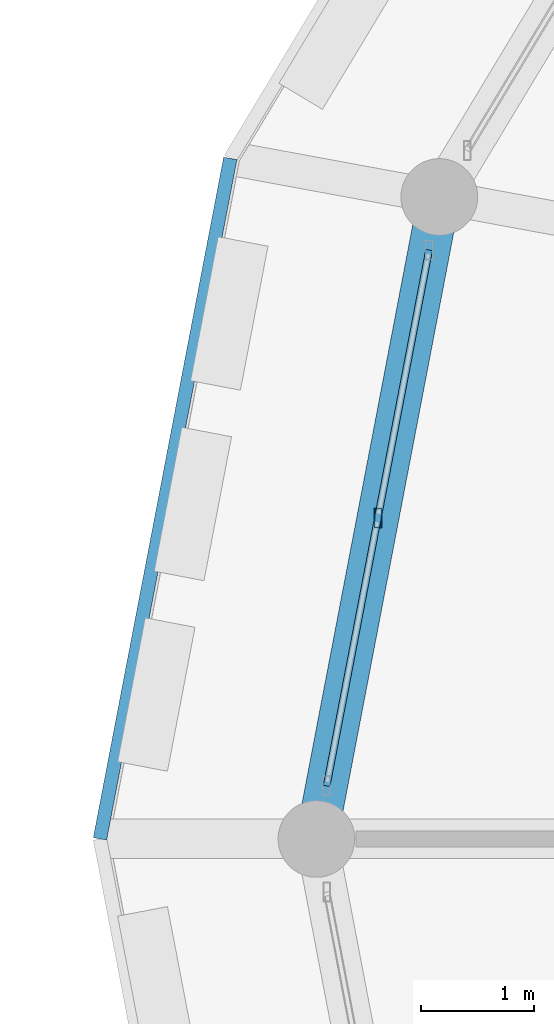
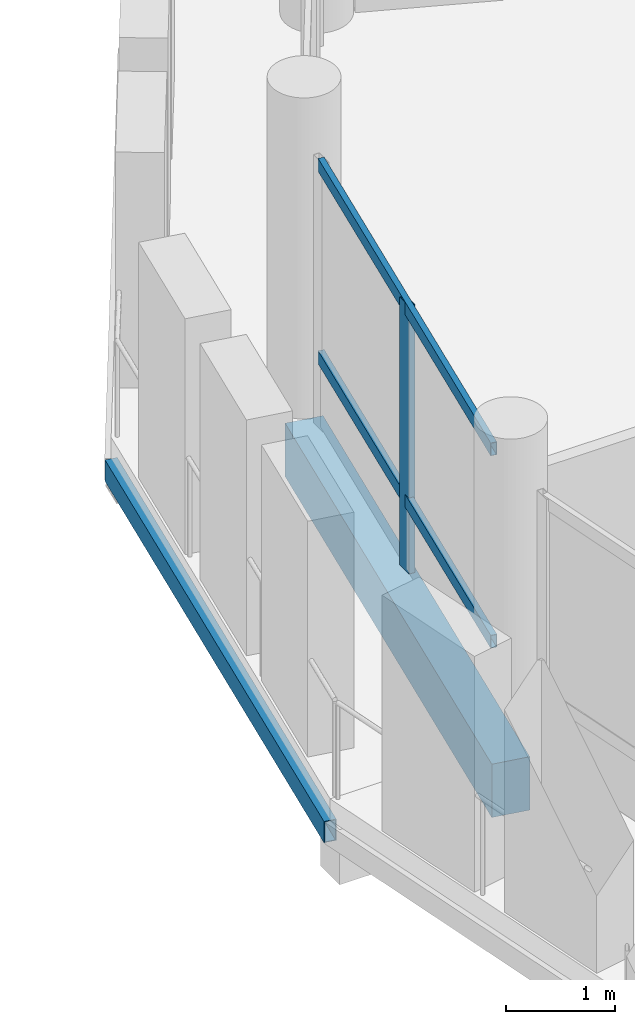
# One storey, part 34 of 128: 3 members, 2 beams, 1 element without a shape of its own.
"""IFC4 building model written with IfcOpenShell, lengths in metres."""

from ifc_helpers import new_model, si_unit, direction, frame, origin, origin_2d, place, context, subcontext, project, spatial, rectangle, hollow_rectangle, extrude, material, material_profile, profile_set, type_object, element, aggregate, save


model = new_model("IFC4")

# Units and contexts
model_context = context("Model", 3, precision=1e-05, world=origin(), true_north=direction((0.0, 1.0)))
body_context = subcontext(model_context, "Body", "Model", "MODEL_VIEW")
ifc_project = project(units=[si_unit("LENGTHUNIT", "METRE"), si_unit("AREAUNIT", "SQUARE_METRE"), si_unit("VOLUMEUNIT", "CUBIC_METRE"), si_unit("PLANEANGLEUNIT", "RADIAN"), si_unit("MASSUNIT", "GRAM", prefix="KILO")], contexts=[model_context])

# Site, building, storey
site_placement = place(None, origin())
site = spatial("IfcSite", under=ifc_project, at=site_placement, CompositionType="ELEMENT")
building_placement = place(site_placement, origin())
building = spatial("IfcBuilding", under=site, at=building_placement, Name="Zornivar Specialist Clinic", CompositionType="ELEMENT")
storey_placement = place(building_placement, frame((0.0, 0.0, 4.5)))
storey = spatial("IfcBuildingStorey", under=building, at=storey_placement, Name="L01", CompositionType="ELEMENT", Elevation=4.5)

# Beams
ifc_material_1 = material(Name="Concrete C30/37", Category="concrete")
ifc_material_profile_1 = material_profile(ifc_material_1, rectangle(XDim=0.3701171875, YDim=0.60009765625, at=origin_2d()), Name="RC 370x600")
ifc_profile_set_1 = profile_set([ifc_material_profile_1], Name="Concrete C30/37")
beam_type_1 = type_object("IfcBeamType", Name="BM-RC-SPANDREL-370x600", PredefinedType="SPANDREL", material=ifc_profile_set_1)
beam_1_placement = place(storey_placement, frame((62.68994140625, 63.2939453125, -0.5400390625), z_axis=(-0.187994479835, -0.982170084838, 0.0), x_axis=(0.982170084838, -0.187994479835, 0.0)))
element("IfcBeam", 1, at=beam_1_placement, inside=storey, type_object=beam_type_1, Name="bm:V1:L01:outring:11", PredefinedType="SPANDREL", context=body_context, shape_type="SweptSolid", body=[
    extrude(rectangle(XDim=0.3701171875, YDim=0.60009765625, at=origin_2d()), origin(), (0.0, 0.0, 1.0), 5.797119140625),
])
ifc_material_2 = material(Name="Steel S355J2", Category="steel")
ifc_material_profile_2 = material_profile(ifc_material_2, hollow_rectangle(XDim=0.1201171875, YDim=0.239990234375, WallThickness=0.008056640625, at=origin_2d()), Name="RHS 240x120x8")
ifc_profile_set_2 = profile_set([ifc_material_profile_2], Name="Steel S355J2")
beam_type_2 = type_object("IfcBeamType", Name="BM-STL-RHS240", PredefinedType="JOIST", material=ifc_profile_set_2)
beam_2_placement = place(storey_placement, frame((60.8359375, 63.635986328125, -0.360107421875), z_axis=(-0.188103253611, -0.982149258505, 0.0), x_axis=(0.982149258505, -0.188103253611, 0.0)))
element("IfcBeam", 2, at=beam_2_placement, inside=storey, type_object=beam_type_2, Name="bm:V1:L01:balring:11", PredefinedType="JOIST", context=body_context, shape_type="SweptSolid", body=[
    extrude(hollow_rectangle(XDim=0.1201171875, YDim=0.239990234375, WallThickness=0.008056640625, at=origin_2d()), origin(), (0.0, 0.0, 1.0), 6.1455078125),
])

# Curtain wall, members
ifc_material_3 = material(Name="Aluminium and Low-E Glass Curtain Wall", Category="aluminium")
curtain_wall_type = type_object("IfcCurtainWallType", Name="CW-DRUM-FACET", PredefinedType="NOTDEFINED", material=ifc_material_3)
curtain_wall_placement = place(storey_placement, origin())
curtain_wall = element("IfcCurtainWall", 3, at=curtain_wall_placement, inside=storey, type_object=curtain_wall_type, Name="cw:V1:L01:c11", PredefinedType="NOTDEFINED")
ifc_material_4 = material(Name="Aluminium AW-6060", Category="aluminium")
ifc_material_profile_3 = material_profile(ifc_material_4, hollow_rectangle(XDim=0.06494140625, YDim=0.175048828125, WallThickness=0.00439453125, at=origin_2d()), Name="ALU 65x175x4.5")
ifc_profile_set_3 = profile_set([ifc_material_profile_3], Name="Aluminium AW-6060")
member_type_1 = type_object("IfcMemberType", Name="CWM-MUL-175", PredefinedType="MULLION", material=ifc_profile_set_3)
member_1_placement = place(storey_placement, frame((62.14501953125, 60.447021484375, 0.0), z_axis=(0.0, 0.0, 1.0), x_axis=(1.0, 0.0, 0.0)))
member_1 = element("IfcMember", 4, at=member_1_placement, type_object=member_type_1, Name="cw:V1:L01:c11:mul:1", PredefinedType="MULLION", context=body_context, shape_type="SweptSolid", body=[
    extrude(hollow_rectangle(XDim=0.06494140625, YDim=0.175048828125, WallThickness=0.00439453125, at=origin_2d()), origin(), (0.0, 0.0, 1.0), 3.010009765625),
])
ifc_material_5 = material(Name="Aluminium AW-6060", Category="aluminium")
ifc_material_profile_4 = material_profile(ifc_material_5, hollow_rectangle(XDim=0.06005859375, YDim=0.14501953125, WallThickness=0.00390625, at=origin_2d()), Name="ALU 60x145x4")
ifc_profile_set_4 = profile_set([ifc_material_profile_4], Name="Aluminium AW-6060")
member_type_2 = type_object("IfcMemberType", Name="CWM-TRN-145", PredefinedType="USERDEFINED", material=ifc_profile_set_4)
member_2_placement = place(storey_placement, frame((62.59912109375, 62.822998046875, 0.782958984375), z_axis=(-0.187724259088, -0.982221768518, 0.0), x_axis=(0.982221768518, -0.187724259088, 0.0)))
member_2 = element("IfcMember", 5, at=member_2_placement, type_object=member_type_2, Name="cw:V1:L01:c11:trn:0", ObjectType="TRANSOM", PredefinedType="USERDEFINED", context=body_context, shape_type="SweptSolid", body=[
    extrude(hollow_rectangle(XDim=0.06005859375, YDim=0.14501953125, WallThickness=0.00390625, at=origin_2d()), origin(), (0.0, 0.0, 1.0), 4.837890625),
])
member_3_placement = place(storey_placement, frame((62.59912109375, 62.822998046875, 2.945068359375), z_axis=(-0.187724259088, -0.982221768518, 0.0), x_axis=(0.982221768518, -0.187724259088, 0.0)))
member_3 = element("IfcMember", 6, at=member_3_placement, type_object=member_type_2, Name="cw:V1:L01:c11:trn:1", ObjectType="TRANSOM", PredefinedType="USERDEFINED", context=body_context, shape_type="SweptSolid", body=[
    extrude(hollow_rectangle(XDim=0.06005859375, YDim=0.14501953125, WallThickness=0.00390625, at=origin_2d()), origin(), (0.0, 0.0, 1.0), 4.837890625),
])
aggregate(curtain_wall, [member_1, member_2, member_3])

save(model, "model.ifc")
